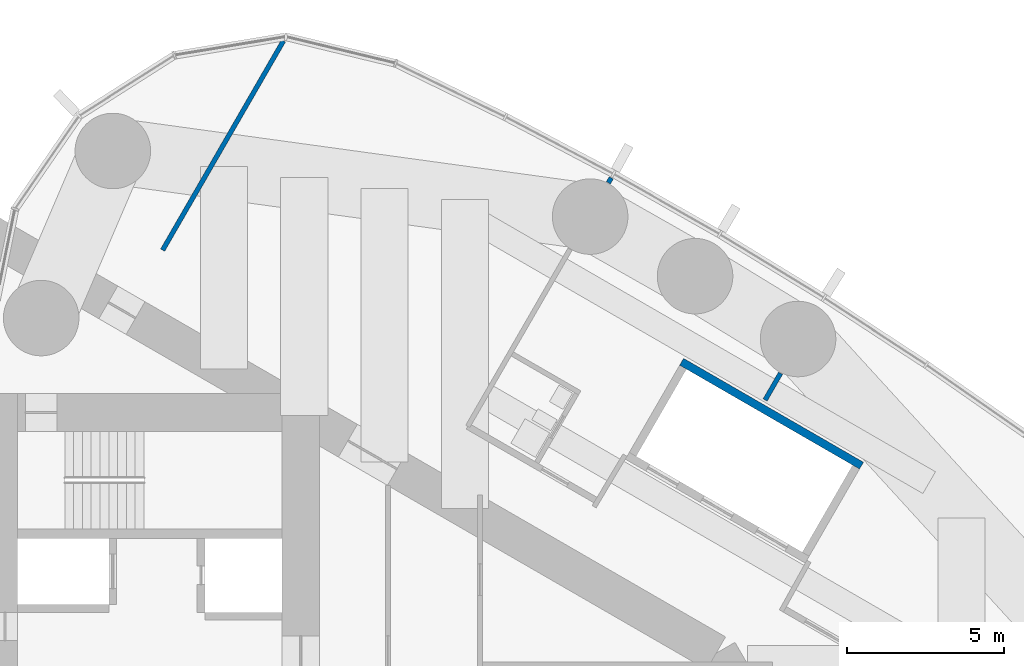
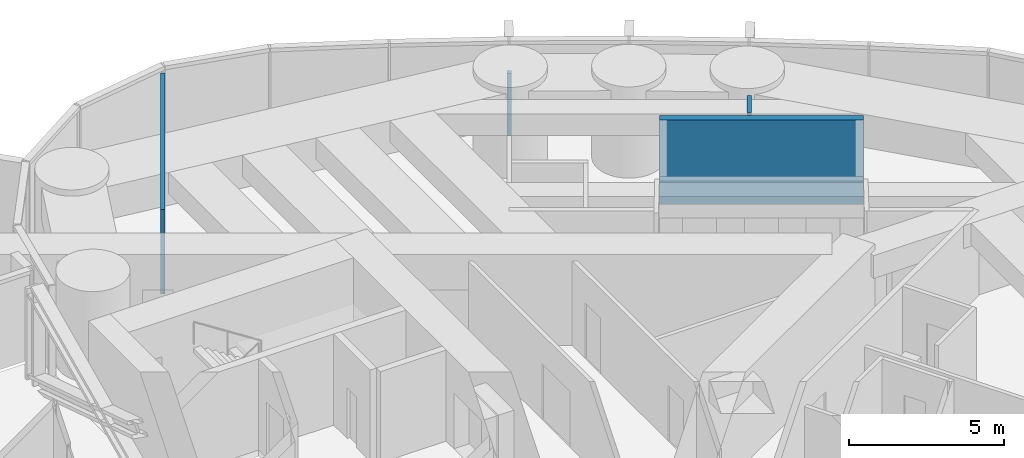
# One storey, part 21 of 24: 4 walls.
"""IFC4 building model written with IfcOpenShell, lengths in metres."""

import ifcopenshell
import ifcopenshell.guid

model = None  # the IFC model being written
_history = None  # IfcOwnerHistory: only IFC2X3 demands one
_inside = {}  # id of a spatial element -> (the spatial element, [elements in it])
_under = {}  # id of a project, library or spatial element -> (it, [spatial elements below it])
_declared = {}  # id of a project -> (the project, [libraries it declares])
_typed = {}  # id of a type object -> (the type object, [elements of that type])
_made_of = {}  # id of a material, layer set ... -> (it, [elements and type objects made of it])


def new_model(schema):
    """Start an empty IFC model of exactly this schema.

    Asked for "IFC4X3", IfcOpenShell would pick the latest addendum, in which some entities
    have other attributes; the version numbers below select the first issue.
    IFC2X3 requires an IfcOwnerHistory on every rooted entity: one is made here for all.
    """
    global model, _history
    if schema == "IFC4X3":
        model = ifcopenshell.file(schema_version=(4, 3, 0, 0))
    else:
        model = ifcopenshell.file(schema=schema)
    _inside.clear()
    _under.clear()
    _declared.clear()
    _typed.clear()
    _made_of.clear()
    _history = None
    if model.schema == "IFC2X3":
        org = make("IfcOrganization", Name="unknown")
        user = make(
            "IfcPersonAndOrganization",
            ThePerson=make("IfcPerson", FamilyName="unknown"),
            TheOrganization=org,
        )
        app = make(
            "IfcApplication",
            ApplicationDeveloper=org,
            Version="unknown",
            ApplicationFullName="unknown",
            ApplicationIdentifier="unknown",
        )
        _history = make(
            "IfcOwnerHistory",
            OwningUser=user,
            OwningApplication=app,
            ChangeAction="ADDED",
            CreationDate=0,
        )
    return model


def make(cls, **values):
    """One entity of the class cls with the attributes given. An attribute that is None is left unset."""
    return model.create_entity(
        cls, **{name: value for name, value in values.items() if value is not None}
    )


def rooted(cls, **values):
    """An entity with a GlobalId (a new one), such as an element, a storey or a relation."""
    return make(cls, GlobalId=ifcopenshell.guid.new(), OwnerHistory=_history, **values)


def si_unit(unit_type, name, prefix=None):
    """IfcSIUnit, for example si_unit("LENGTHUNIT", "METRE", prefix="MILLI")."""
    return make("IfcSIUnit", UnitType=unit_type, Prefix=prefix, Name=name)


def assignment(units):
    """IfcUnitAssignment: the units of a project."""
    return None if units is None else make("IfcUnitAssignment", Units=units)


def point(xyz):
    """IfcCartesianPoint."""
    return None if xyz is None else make("IfcCartesianPoint", Coordinates=xyz)


def direction(xyz):
    """IfcDirection."""
    return None if xyz is None else make("IfcDirection", DirectionRatios=xyz)


def frame(location, z_axis=None, x_axis=None):
    """IfcAxis2Placement3D, a coordinate frame: its origin and axes. An axis left out is left unset."""
    return make(
        "IfcAxis2Placement3D",
        Location=point(location),
        Axis=direction(z_axis),
        RefDirection=direction(x_axis),
    )


def frame_2d(location, x_axis=None):
    """IfcAxis2Placement2D, a coordinate frame in the plane: its origin and x axis."""
    return make(
        "IfcAxis2Placement2D", Location=point(location), RefDirection=direction(x_axis)
    )


def origin():
    """The frame at (0, 0, 0) with its axes left unset."""
    return frame((0.0, 0.0, 0.0))


def place(relative_to, where):
    """IfcLocalPlacement: puts the frame where relative to a parent placement (None: the world)."""
    return make(
        "IfcLocalPlacement", PlacementRelTo=relative_to, RelativePlacement=where
    )


def context(
    kind, dimensions, precision=None, world=None, true_north=None, identifier=None
):
    """IfcGeometricRepresentationContext, for example the 3D "Model" context."""
    return make(
        "IfcGeometricRepresentationContext",
        ContextIdentifier=identifier,
        ContextType=kind,
        CoordinateSpaceDimension=dimensions,
        Precision=precision,
        WorldCoordinateSystem=world,
        TrueNorth=true_north,
    )


def subcontext(parent, identifier, kind, view, scale=None):
    """IfcGeometricRepresentationSubContext, for example "Body" below "Model"."""
    return make(
        "IfcGeometricRepresentationSubContext",
        ContextIdentifier=identifier,
        ContextType=kind,
        ParentContext=parent,
        TargetScale=scale,
        TargetView=view,
    )


def project(units=None, contexts=None):
    """IfcProject with its units and contexts."""
    return rooted(
        "IfcProject",
        Name="project",
        RepresentationContexts=contexts,
        UnitsInContext=assignment(units),
    )


def spatial(cls, under=None, at=None, **own):
    """A site, building, storey or space (cls), placed at a placement, below another one or the project."""
    s = rooted(cls, ObjectPlacement=at, **own)
    if under is not None:
        _under.setdefault(under.id(), (under, []))[1].append(s)
    return s


def profile(cls, at=None, kind="AREA", **sizes):
    """A parametric profile (cls). Its sizes go by their IFC names, for example OverallWidth=200.0."""
    return make(cls, ProfileType=kind, Position=at, **sizes)


def rectangle(**sizes):
    """IfcRectangleProfileDef."""
    return profile("IfcRectangleProfileDef", **sizes)


def extrude(swept, where, along, depth):
    """IfcExtrudedAreaSolid: the profile swept, set in the frame where, extruded along a direction by depth."""
    return make(
        "IfcExtrudedAreaSolid",
        SweptArea=swept,
        Position=where,
        ExtrudedDirection=direction(along),
        Depth=depth,
    )


def shape(context_of_items, identifier, shape_type, items):
    """IfcShapeRepresentation: the items that make up one representation, for example the "Body"."""
    return make(
        "IfcShapeRepresentation",
        ContextOfItems=context_of_items,
        RepresentationIdentifier=identifier,
        RepresentationType=shape_type,
        Items=items,
    )


def material(Name=None, Category=None):
    """IfcMaterial."""
    return make("IfcMaterial", Name=Name, Category=Category)


def layer(
    of_material, thickness, ventilated=None, Name=None, Category=None, Priority=None
):
    """IfcMaterialLayer: one layer of a wall or slab, of a material (None: an air gap)."""
    return make(
        "IfcMaterialLayer",
        Material=of_material,
        LayerThickness=thickness,
        IsVentilated=ventilated,
        Name=Name,
        Category=Category,
        Priority=Priority,
    )


def layer_set(layers, Name=None):
    """IfcMaterialLayerSet."""
    return make("IfcMaterialLayerSet", MaterialLayers=layers, LayerSetName=Name)


def made_of(thing, what):
    """Note that an element or type object is made of a material, layer set ...; save() writes the relation."""
    if what is not None:
        _made_of.setdefault(what.id(), (what, []))[1].append(thing)
    return thing


def type_object(cls, material=None, **own):
    """A type object (cls), such as IfcWallType, which elements share."""
    return made_of(rooted(cls, **own), material)


def element(
    cls,
    number,
    at=None,
    inside=None,
    cuts=None,
    type_object=None,
    material=None,
    context=None,
    identifier="Body",
    shape_type=None,
    held_by="IfcProductDefinitionShape",
    body=None,
    shapes=None,
    **own,
):
    """One element of the class cls, such as IfcWall. Its Tag is "e" and its number.

    at: its placement. inside: the storey or other place that contains it. cuts: it is an
    opening in that element (IfcRelVoidsElement). A single representation is given by context,
    identifier, shape_type and body (its items); several are given by shapes. held_by: the class
    of the entity that holds the representations. save() writes the other relations.
    """
    e = rooted(cls, Tag="e%d" % number, ObjectPlacement=at, **own)
    if body is not None:
        shapes = [shape(context, identifier, shape_type, body)]
    if shapes is not None:
        e.Representation = make(held_by, Representations=shapes)
    if inside is not None:
        _inside.setdefault(inside.id(), (inside, []))[1].append(e)
    if cuts is not None:
        rooted(
            "IfcRelVoidsElement", RelatingBuildingElement=cuts, RelatedOpeningElement=e
        )
    if type_object is not None:
        _typed.setdefault(type_object.id(), (type_object, []))[1].append(e)
    return made_of(e, material)


def aggregate(whole, parts):
    """IfcRelAggregates: a whole, such as a stair, and the parts it consists of."""
    return rooted("IfcRelAggregates", RelatingObject=whole, RelatedObjects=parts)


def save(model, path):
    """Write the relations noted so far, then the file.

    IfcRelAggregates (storeys below a building ...), IfcRelContainedInSpatialStructure (elements
    in a storey), IfcRelDefinesByType, IfcRelAssociatesMaterial and IfcRelDeclares: one each for
    every whole, place, type object, material and project.
    """
    for whole, parts in _under.values():
        aggregate(whole, parts)
    for where, things in _inside.values():
        rooted(
            "IfcRelContainedInSpatialStructure",
            RelatedElements=things,
            RelatingStructure=where,
        )
    for kind, things in _typed.values():
        rooted("IfcRelDefinesByType", RelatedObjects=things, RelatingType=kind)
    for what, things in _made_of.values():
        rooted("IfcRelAssociatesMaterial", RelatedObjects=things, RelatingMaterial=what)
    for by, libraries in _declared.values():
        rooted("IfcRelDeclares", RelatingContext=by, RelatedDefinitions=libraries)
    model.write(path)


model = new_model("IFC4")

# Units and contexts
model_context = context("Model", 3, precision=1e-05, world=origin(), true_north=direction((0.0, 1.0)))
body_context = subcontext(model_context, "Body", "Model", "MODEL_VIEW")
ifc_project = project(units=[si_unit("LENGTHUNIT", "METRE"), si_unit("AREAUNIT", "SQUARE_METRE"), si_unit("VOLUMEUNIT", "CUBIC_METRE"), si_unit("PLANEANGLEUNIT", "RADIAN"), si_unit("MASSUNIT", "GRAM", prefix="KILO")], contexts=[model_context])

# Site, building, storey
site_placement = place(None, origin())
site = spatial("IfcSite", under=ifc_project, at=site_placement, CompositionType="ELEMENT")
building_placement = place(site_placement, origin())
building = spatial("IfcBuilding", under=site, at=building_placement, Name="Lancet Gate Hotel", CompositionType="ELEMENT")
storey_placement = place(building_placement, frame((0.0, 0.0, 236.89990234375)))
storey = spatial("IfcBuildingStorey", under=building, at=storey_placement, Name="L63", CompositionType="ELEMENT", Elevation=236.89990234375)

# Walls
ifc_material_1 = material(Name="Gypsum board partition")
ifc_layer_1 = layer(ifc_material_1, 0.25)
ifc_layer_set_1 = layer_set([ifc_layer_1], Name="Lift shaft partition 250")
wall_type_1 = type_object("IfcWallType", Name="Lift shaft partition 250", PredefinedType="PARTITIONING", material=ifc_layer_set_1)
wall_1_placement = place(storey_placement, frame((49.406494140625, 9.61083984375, 0.0), z_axis=(0.0, 0.0, 1.0), x_axis=(0.86603344179, -0.499986077507, 0.0)))
element("IfcWall", 1, at=wall_1_placement, inside=storey, type_object=wall_type_1, Name="T2 lift shaft wall HL L63", PredefinedType="PARTITIONING", context=body_context, shape_type="SweptSolid", body=[
    extrude(rectangle(XDim=6.600341796875, YDim=0.25, at=frame_2d((3.30029296875, 0.0))), origin(), (0.0, 0.0, 1.0), 3.35009765625),
])
ifc_material_2 = material(Name="Gypsum board partition")
ifc_layer_2 = layer(ifc_material_2, 0.14990234375)
ifc_layer_set_2 = layer_set([ifc_layer_2], Name="Party wall 150")
wall_type_2 = type_object("IfcWallType", Name="Party wall 150", PredefinedType="PARTITIONING", material=ifc_layer_set_2)
wall_2_placement = place(storey_placement, frame((32.909912109375, 13.1591796875, 0.0), z_axis=(0.0, 0.0, 1.0), x_axis=(0.500014963534, 0.866016764412, 0.0)))
element("IfcWall", 2, at=wall_2_placement, inside=storey, type_object=wall_type_2, Name="T2 party wall 150 L63", PredefinedType="PARTITIONING", context=body_context, shape_type="SweptSolid", body=[
    extrude(rectangle(XDim=7.682373046875, YDim=0.14990234375, at=frame_2d((3.84130859375, 0.0))), origin(), (0.0, 0.0, 1.0), 3.35009765625),
])
wall_3_placement = place(storey_placement, frame((47.078857421875, 15.2998046875, 0.0), z_axis=(0.0, 0.0, 1.0), x_axis=(0.499212083968, 0.866479829667, 0.0)))
element("IfcWall", 3, at=wall_3_placement, inside=storey, type_object=wall_type_2, Name="T2 party wall 150 L63", PredefinedType="PARTITIONING", context=body_context, shape_type="SweptSolid", body=[
    extrude(rectangle(XDim=0.179443359375, YDim=0.14990234375, at=frame_2d((0.08984375, 0.0))), origin(), (0.0, 0.0, 1.0), 2.4501953125),
])
wall_4_placement = place(storey_placement, frame((52.060302734375, 8.396240234375, 0.0), z_axis=(0.0, 0.0, 1.0), x_axis=(0.500095379624, 0.865970329329, 0.0)))
element("IfcWall", 4, at=wall_4_placement, inside=storey, type_object=wall_type_2, Name="T2 party wall 150 L63", PredefinedType="PARTITIONING", context=body_context, shape_type="SweptSolid", body=[
    extrude(rectangle(XDim=0.982177734375, YDim=0.14990234375, at=frame_2d((0.4912109375, 0.0))), origin(), (0.0, 0.0, 1.0), 3.35009765625),
])

save(model, "model.ifc")
